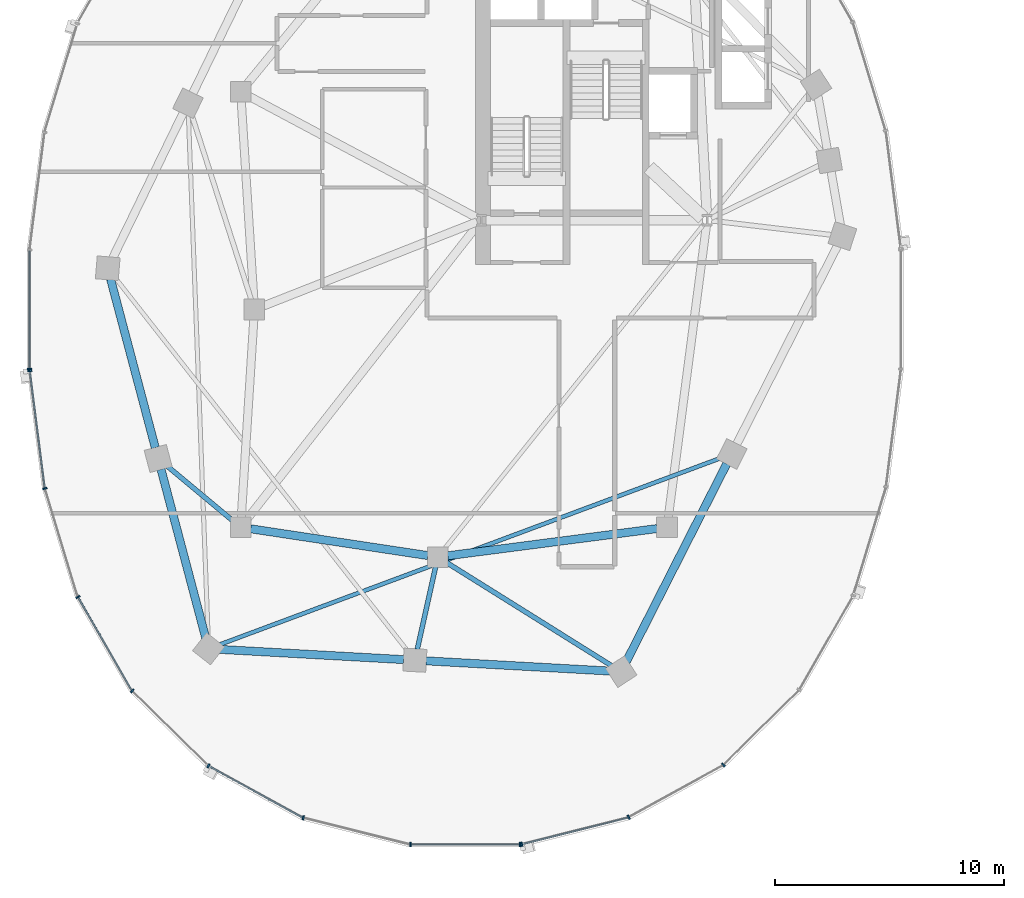
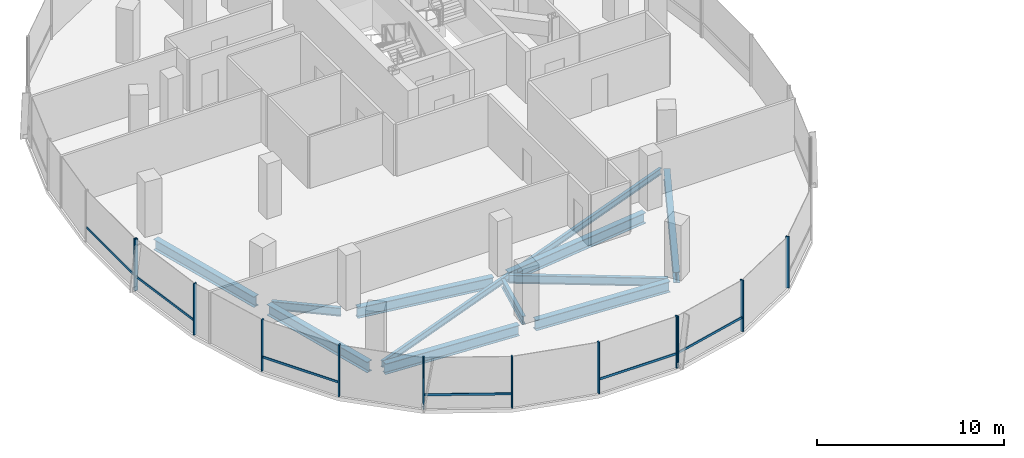
# One storey, part 2 of 22: 18 members, 11 beams, 3 elements without a shape of their own.
"""IFC4 building model written with IfcOpenShell, lengths in metres."""

from ifc_helpers import new_model, si_unit, direction, frame, origin, origin_2d, place, context, subcontext, project, spatial, rectangle, i_section, extrude, material, material_profile, profile_set, type_object, element, aggregate, save


model = new_model("IFC4")

# Units and contexts
model_context = context("Model", 3, precision=1e-05, world=origin(), true_north=direction((0.0, 1.0)))
body_context = subcontext(model_context, "Body", "Model", "MODEL_VIEW")
ifc_project = project(units=[si_unit("LENGTHUNIT", "METRE"), si_unit("AREAUNIT", "SQUARE_METRE"), si_unit("VOLUMEUNIT", "CUBIC_METRE"), si_unit("PLANEANGLEUNIT", "RADIAN"), si_unit("MASSUNIT", "GRAM", prefix="KILO"), si_unit("THERMODYNAMICTEMPERATUREUNIT", "KELVIN"), si_unit("POWERUNIT", "WATT")], contexts=[model_context])

# Site, building, storey
site_placement = place(None, origin())
site = spatial("IfcSite", under=ifc_project, at=site_placement, CompositionType="ELEMENT")
building_placement = place(site_placement, origin())
building = spatial("IfcBuilding", under=site, at=building_placement, Name="Cundina Bronze Exchange", CompositionType="ELEMENT")
storey_placement = place(building_placement, frame((0.0, 0.0, 162.0)))
storey = spatial("IfcBuildingStorey", under=building, at=storey_placement, Name="L42", CompositionType="ELEMENT", Elevation=162.0)

# Beams
ifc_material_1 = material(Name="Steel ASTM A992 Grade 50", Category="steel")
ifc_material_profile_1 = material_profile(ifc_material_1, i_section(OverallWidth=0.2119140625, OverallDepth=0.5439453125, WebThickness=0.01318359375, FlangeThickness=0.021240234375, FilletRadius=0.013916015625, at=origin_2d()), Name="W21X83", Category="steel")
ifc_profile_set_1 = profile_set([ifc_material_profile_1], Name="Steel ASTM A992 Grade 50")
beam_type_1 = type_object("IfcBeamType", Name="BM-FLR-W21A", PredefinedType="BEAM", material=ifc_profile_set_1)
beam_1_placement = place(storey_placement, frame((-42.136474609375, -9.219482421875, -0.511962890625), z_axis=(-0.768253211489, 0.640146079451, 0.0), x_axis=(-0.640146079451, -0.768253211489, 0.0)))
element("IfcBeam", 1, at=beam_1_placement, inside=storey, type_object=beam_type_1, Name="L42 Leg W Radial Floor Beam 09", PredefinedType="BEAM", context=body_context, shape_type="SweptSolid", body=[
    extrude(i_section(OverallWidth=0.2119140625, OverallDepth=0.5439453125, WebThickness=0.01318359375, FlangeThickness=0.021240234375, FilletRadius=0.013916015625, at=origin_2d()), origin(), (0.0, 0.0, 1.0), 3.760009765625),
])
beam_2_placement = place(storey_placement, frame((-33.294921875, -11.2275390625, -0.511962890625), z_axis=(-0.216923440287, -0.976188619609, 0.0), x_axis=(0.976188619609, -0.216923440287, 0.0)))
element("IfcBeam", 2, at=beam_2_placement, inside=storey, type_object=beam_type_1, Name="L42 Leg W Radial Floor Beam 11", PredefinedType="BEAM", context=body_context, shape_type="SweptSolid", body=[
    extrude(i_section(OverallWidth=0.2119140625, OverallDepth=0.5439453125, WebThickness=0.01318359375, FlangeThickness=0.021240234375, FilletRadius=0.013916015625, at=origin_2d()), origin(), (0.0, 0.0, 1.0), 3.68359375),
])
beam_3_placement = place(storey_placement, frame((-32.82861328125, -11.031982421875, -0.511962890625), z_axis=(0.847985407265, -0.530019574228, 0.0), x_axis=(0.530019574228, 0.847985407265, 0.0)))
element("IfcBeam", 3, at=beam_3_placement, inside=storey, type_object=beam_type_1, Name="L42 Leg W Radial Floor Beam 12", PredefinedType="BEAM", context=body_context, shape_type="SweptSolid", body=[
    extrude(i_section(OverallWidth=0.2119140625, OverallDepth=0.5439453125, WebThickness=0.01318359375, FlangeThickness=0.021240234375, FilletRadius=0.013916015625, at=origin_2d()), origin(), (0.0, 0.0, 1.0), 8.50830078125),
])
ifc_material_profile_2 = material_profile(ifc_material_1, i_section(OverallWidth=0.178955078125, OverallDepth=0.409912109375, WebThickness=0.0087890625, FlangeThickness=0.014404296875, FilletRadius=0.010986328125, at=origin_2d()), Name="W16X45", Category="steel")
ifc_profile_set_2 = profile_set([ifc_material_profile_2], Name="Steel ASTM A992 Grade 50")
beam_type_2 = type_object("IfcBeamType", Name="BM-JST-W16", PredefinedType="JOIST", material=ifc_profile_set_2)
beam_4_placement = place(storey_placement, frame((-42.74267578125, -14.629638671875, -0.445068359375), z_axis=(0.937127922351, 0.348986041483, 0.0), x_axis=(-0.348986041483, 0.937127922351, 0.0)))
element("IfcBeam", 4, at=beam_4_placement, inside=storey, type_object=beam_type_2, Name="L42 Leg W Lobe Floor Joist 10-13", PredefinedType="JOIST", context=body_context, shape_type="SweptSolid", body=[
    extrude(i_section(OverallWidth=0.178955078125, OverallDepth=0.409912109375, WebThickness=0.0087890625, FlangeThickness=0.014404296875, FilletRadius=0.010986328125, at=origin_2d()), origin(), (0.0, 0.0, 1.0), 23.38037109375),
])
ifc_material_profile_3 = material_profile(ifc_material_1, i_section(OverallWidth=0.35498046875, OverallDepth=0.695068359375, WebThickness=0.015380859375, FlangeThickness=0.02490234375, FilletRadius=0.01806640625, at=origin_2d()), Name="W27X146", Category="steel")
ifc_profile_set_3 = profile_set([ifc_material_profile_3], Name="Steel ASTM A992 Grade 50")
beam_type_3 = type_object("IfcBeamType", Name="BM-RING-W27", PredefinedType="USERDEFINED", material=ifc_profile_set_3)
beam_5_placement = place(storey_placement, frame((-41.366943359375, -9.5654296875, -0.58740234375), z_axis=(0.988764903598, -0.149478979839, 0.0), x_axis=(0.149478979839, 0.988764903598, 0.0)))
element("IfcBeam", 5, at=beam_5_placement, inside=storey, type_object=beam_type_3, Name="L42 W Inner Structural Ring Girder 05", ObjectType="GIRDER", PredefinedType="USERDEFINED", context=body_context, shape_type="SweptSolid", body=[
    extrude(i_section(OverallWidth=0.35498046875, OverallDepth=0.695068359375, WebThickness=0.015380859375, FlangeThickness=0.02490234375, FilletRadius=0.01806640625, at=origin_2d()), origin(), (0.0, 0.0, 1.0), 7.82177734375),
])
beam_6_placement = place(storey_placement, frame((-32.765625, -10.743408203125, -0.58740234375), z_axis=(0.991656498582, 0.128908451316, 0.0), x_axis=(-0.128908451316, 0.991656498582, 0.0)))
element("IfcBeam", 6, at=beam_6_placement, inside=storey, type_object=beam_type_3, Name="L42 W Inner Structural Ring Girder 06", ObjectType="GIRDER", PredefinedType="USERDEFINED", context=body_context, shape_type="SweptSolid", body=[
    extrude(i_section(OverallWidth=0.35498046875, OverallDepth=0.695068359375, WebThickness=0.015380859375, FlangeThickness=0.02490234375, FilletRadius=0.01806640625, at=origin_2d()), origin(), (0.0, 0.0, 1.0), 9.208251953125),
])
for number, where, z_axis, x_axis, name in (
    (7, (-47.47509765625, 1.328369140625, -0.58740234375), (0.256240814108, -0.966612975904, 0.0), (0.966612975904, 0.256240814108, 0.0), "L42 W Perimeter Ring Girder 08"),
    (8, (-45.27490234375, -6.9716796875, -0.58740234375), (0.256210841755, -0.96662092082, 0.0), (0.96662092082, 0.256210841755, 0.0), "L42 W Perimeter Ring Girder 09"),
):
    element("IfcBeam", number, at=place(storey_placement, frame(where, z_axis=z_axis, x_axis=x_axis)), inside=storey, type_object=beam_type_3, Name=name, ObjectType="GIRDER", PredefinedType="USERDEFINED", context=body_context, shape_type="SweptSolid", body=[
        extrude(i_section(OverallWidth=0.35498046875, OverallDepth=0.695068359375, WebThickness=0.015380859375, FlangeThickness=0.02490234375, FilletRadius=0.01806640625, at=origin_2d()), origin(), (0.0, 0.0, 1.0), 7.61083984375),
    ])
for number, where, z_axis, x_axis, name in (
    (9, (-42.712890625, -14.8271484375, -0.58740234375), (0.998460820451, -0.055461608559, 0.0), (0.055461608559, 0.998460820451, 0.0), "L42 W Perimeter Ring Girder 10"),
    (10, (-33.712890625, -15.3271484375, -0.58740234375), (0.998460820451, -0.055461608559, 0.0), (0.055461608559, 0.998460820451, 0.0), "L42 W Perimeter Ring Girder 11"),
):
    element("IfcBeam", number, at=place(storey_placement, frame(where, z_axis=z_axis, x_axis=x_axis)), inside=storey, type_object=beam_type_3, Name=name, ObjectType="GIRDER", PredefinedType="USERDEFINED", context=body_context, shape_type="SweptSolid", body=[
        extrude(i_section(OverallWidth=0.35498046875, OverallDepth=0.695068359375, WebThickness=0.015380859375, FlangeThickness=0.02490234375, FilletRadius=0.01806640625, at=origin_2d()), origin(), (0.0, 0.0, 1.0), 8.0380859375),
    ])
beam_7_placement = place(storey_placement, frame((-24.97900390625, -15.364990234375, -0.58740234375), z_axis=(0.452834585354, 0.891594548159, 0.0), x_axis=(-0.891594548159, 0.452834585354, 0.0)))
element("IfcBeam", 11, at=beam_7_placement, inside=storey, type_object=beam_type_3, Name="L42 W Perimeter Ring Girder 12", ObjectType="GIRDER", PredefinedType="USERDEFINED", context=body_context, shape_type="SweptSolid", body=[
    extrude(i_section(OverallWidth=0.35498046875, OverallDepth=0.695068359375, WebThickness=0.015380859375, FlangeThickness=0.02490234375, FilletRadius=0.01806640625, at=origin_2d()), origin(), (0.0, 0.0, 1.0), 9.67919921875),
])

# Curtain wall, member
ifc_material_2 = material(Name="Anodised Bronze Aluminium 6063-T6", Category="aluminium")
curtain_wall_type = type_object("IfcCurtainWallType", Name="CWS-WST-PIN", PredefinedType="NOTDEFINED", material=ifc_material_2)
curtain_wall_1_placement = place(storey_placement, origin())
curtain_wall_1 = element("IfcCurtainWall", 12, at=curtain_wall_1_placement, inside=storey, type_object=curtain_wall_type, Name="L42 CW-04 Curtain Wall Run CWR-L42-W2", PredefinedType="NOTDEFINED")
ifc_material_profile_4 = material_profile(ifc_material_2, rectangle(XDim=0.070068359375, YDim=0.18994140625, at=origin_2d()), Name="AL70X190", Category="aluminium")
ifc_profile_set_4 = profile_set([ifc_material_profile_4], Name="Anodised Bronze Aluminium 6063-T6")
member_type_1 = type_object("IfcMemberType", Name="CWM-MUL-190", PredefinedType="MULLION", material=ifc_profile_set_4)
member_1_placement = place(storey_placement, frame((-51.007080078125, -2.593017578125, 0.0), z_axis=(0.0, 0.0, 1.0), x_axis=(0.0, -1.0, 0.0)))
member_1 = element("IfcMember", 13, at=member_1_placement, type_object=member_type_1, Name="CW-04 End Mullion", PredefinedType="MULLION", context=body_context, shape_type="SweptSolid", body=[
    extrude(rectangle(XDim=0.070068359375, YDim=0.18994140625, at=origin_2d()), origin(), (0.0, 0.0, 1.0), 3.360107421875),
])

# Curtain wall, members
curtain_wall_2_placement = place(storey_placement, origin())
curtain_wall_2 = element("IfcCurtainWall", 14, at=curtain_wall_2_placement, inside=storey, type_object=curtain_wall_type, Name="L42 CW-04 Curtain Wall Run CWR-L42-W3", PredefinedType="NOTDEFINED")
member_2_placement = place(storey_placement, frame((-51.001708984375, -2.676025390625, 0.0), z_axis=(0.0, 0.0, 1.0), x_axis=(0.126545236492, -0.991960837494, 0.0)))
member_2 = element("IfcMember", 15, at=member_2_placement, type_object=member_type_1, Name="CW-04 Mullion 1", PredefinedType="MULLION", context=body_context, shape_type="SweptSolid", body=[
    extrude(rectangle(XDim=0.070068359375, YDim=0.18994140625, at=origin_2d()), origin(), (0.0, 0.0, 1.0), 3.360107421875),
])
member_3_placement = place(storey_placement, frame((-50.3408203125, -7.80859375, 0.0), z_axis=(0.0, 0.0, 1.0), x_axis=(0.290034140915, -0.957016299288, 0.0)))
member_3 = element("IfcMember", 16, at=member_3_placement, type_object=member_type_1, Name="CW-04 Mullion 2", PredefinedType="MULLION", context=body_context, shape_type="SweptSolid", body=[
    extrude(rectangle(XDim=0.070068359375, YDim=0.18994140625, at=origin_2d()), origin(), (0.0, 0.0, 1.0), 3.360107421875),
])
member_4_placement = place(storey_placement, frame((-48.89794921875, -12.541259765625, 0.0), z_axis=(0.0, 0.0, 1.0), x_axis=(0.498487739754, -0.866896748936, 0.0)))
member_4 = element("IfcMember", 17, at=member_4_placement, type_object=member_type_1, Name="CW-04 Mullion 3", PredefinedType="MULLION", context=body_context, shape_type="SweptSolid", body=[
    extrude(rectangle(XDim=0.070068359375, YDim=0.18994140625, at=origin_2d()), origin(), (0.0, 0.0, 1.0), 3.360107421875),
])
member_5_placement = place(storey_placement, frame((-46.530517578125, -16.640380859375, 0.0), z_axis=(0.0, 0.0, 1.0), x_axis=(0.712026045991, -0.702153052995, 0.0)))
member_5 = element("IfcMember", 18, at=member_5_placement, type_object=member_type_1, Name="CW-04 Mullion 4", PredefinedType="MULLION", context=body_context, shape_type="SweptSolid", body=[
    extrude(rectangle(XDim=0.070068359375, YDim=0.18994140625, at=origin_2d()), origin(), (0.0, 0.0, 1.0), 3.360107421875),
])
member_6_placement = place(storey_placement, frame((-43.20654296875, -19.906005859375, 0.0), z_axis=(0.0, 0.0, 1.0), x_axis=(0.875885937035, -0.482518212408, 0.0)))
member_6 = element("IfcMember", 19, at=member_6_placement, type_object=member_type_1, Name="CW-04 Mullion 5", PredefinedType="MULLION", context=body_context, shape_type="SweptSolid", body=[
    extrude(rectangle(XDim=0.070068359375, YDim=0.18994140625, at=origin_2d()), origin(), (0.0, 0.0, 1.0), 3.360107421875),
])
member_7_placement = place(storey_placement, frame((-39.067626953125, -22.17626953125, 0.0), z_axis=(0.0, 0.0, 1.0), x_axis=(0.970084240161, -0.242768546132, 0.0)))
member_7 = element("IfcMember", 20, at=member_7_placement, type_object=member_type_1, Name="CW-04 Mullion 6", PredefinedType="MULLION", context=body_context, shape_type="SweptSolid", body=[
    extrude(rectangle(XDim=0.070068359375, YDim=0.18994140625, at=origin_2d()), origin(), (0.0, 0.0, 1.0), 3.360107421875),
])
member_8_placement = place(storey_placement, frame((-34.39404296875, -23.3369140625, 0.0), z_axis=(0.0, 0.0, 1.0), x_axis=(1.0, 0.0, 0.0)))
member_8 = element("IfcMember", 21, at=member_8_placement, type_object=member_type_1, Name="CW-04 Mullion 7", PredefinedType="MULLION", context=body_context, shape_type="SweptSolid", body=[
    extrude(rectangle(XDim=0.070068359375, YDim=0.18994140625, at=origin_2d()), origin(), (0.0, 0.0, 1.0), 3.360107421875),
])
member_9_placement = place(storey_placement, frame((-29.60595703125, -23.3369140625, 0.0), z_axis=(0.0, 0.0, 1.0), x_axis=(1.0, 0.0, 0.0)))
member_9 = element("IfcMember", 22, at=member_9_placement, type_object=member_type_1, Name="CW-04 End Mullion", PredefinedType="MULLION", context=body_context, shape_type="SweptSolid", body=[
    extrude(rectangle(XDim=0.070068359375, YDim=0.18994140625, at=origin_2d()), origin(), (0.0, 0.0, 1.0), 3.360107421875),
])

curtain_wall_3_placement = place(storey_placement, origin())
curtain_wall_3 = element("IfcCurtainWall", 23, at=curtain_wall_3_placement, inside=storey, type_object=curtain_wall_type, Name="L42 CW-04 Curtain Wall Run CWR-L42-W4", PredefinedType="NOTDEFINED")
member_10_placement = place(storey_placement, frame((-29.537353515625, -23.32861328125, 0.0), z_axis=(0.0, 0.0, 1.0), x_axis=(0.970084240161, 0.242768546132, 0.0)))
member_10 = element("IfcMember", 24, at=member_10_placement, type_object=member_type_1, Name="CW-04 Mullion 1", PredefinedType="MULLION", context=body_context, shape_type="SweptSolid", body=[
    extrude(rectangle(XDim=0.070068359375, YDim=0.18994140625, at=origin_2d()), origin(), (0.0, 0.0, 1.0), 3.360107421875),
])
member_11_placement = place(storey_placement, frame((-24.86962890625, -22.151611328125, 0.0), z_axis=(0.0, 0.0, 1.0), x_axis=(0.875885937035, 0.482518212408, 0.0)))
member_11 = element("IfcMember", 25, at=member_11_placement, type_object=member_type_1, Name="CW-04 Mullion 2", PredefinedType="MULLION", context=body_context, shape_type="SweptSolid", body=[
    extrude(rectangle(XDim=0.070068359375, YDim=0.18994140625, at=origin_2d()), origin(), (0.0, 0.0, 1.0), 3.360107421875),
])
member_12_placement = place(storey_placement, frame((-20.740966796875, -19.86669921875, 0.0), z_axis=(0.0, 0.0, 1.0), x_axis=(0.712026045991, 0.702153052995, 0.0)))
member_12 = element("IfcMember", 26, at=member_12_placement, type_object=member_type_1, Name="CW-04 Mullion 3", PredefinedType="MULLION", context=body_context, shape_type="SweptSolid", body=[
    extrude(rectangle(XDim=0.070068359375, YDim=0.18994140625, at=origin_2d()), origin(), (0.0, 0.0, 1.0), 3.360107421875),
])

# Member
ifc_material_profile_5 = material_profile(ifc_material_2, rectangle(XDim=0.06494140625, YDim=0.14990234375, at=origin_2d()), Name="AL65X150", Category="aluminium")
ifc_profile_set_5 = profile_set([ifc_material_profile_5], Name="Anodised Bronze Aluminium 6063-T6")
member_type_2 = type_object("IfcMemberType", Name="CWM-TRN-150", PredefinedType="USERDEFINED", material=ifc_profile_set_5)
member_13_placement = place(storey_placement, frame((-51.007080078125, 2.554443359375, 0.919921875), z_axis=(0.0, -1.0, 0.0), x_axis=(1.0, 0.0, 0.0)))
member_13 = element("IfcMember", 27, at=member_13_placement, type_object=member_type_2, Name="CW-04 Spandrel Transom 7", ObjectType="TRANSOM", PredefinedType="USERDEFINED", context=body_context, shape_type="SweptSolid", body=[
    extrude(rectangle(XDim=0.06494140625, YDim=0.14990234375, at=origin_2d()), origin(), (0.0, 0.0, 1.0), 5.10888671875),
])

aggregate(curtain_wall_1, [member_1, member_13])

member_14_placement = place(storey_placement, frame((-50.996826171875, -2.71435546875, 0.919921875), z_axis=(0.12646340362, -0.991971273548, 0.0), x_axis=(0.991971273548, 0.12646340362, 0.0)))
member_14 = element("IfcMember", 28, at=member_14_placement, type_object=member_type_2, Name="CW-04 Spandrel Transom 1", ObjectType="TRANSOM", PredefinedType="USERDEFINED", context=body_context, shape_type="SweptSolid", body=[
    extrude(rectangle(XDim=0.06494140625, YDim=0.14990234375, at=origin_2d()), origin(), (0.0, 0.0, 1.0), 5.0966796875),
])

member_15_placement = place(storey_placement, frame((-48.878662109375, -12.574462890625, 0.919921875), z_axis=(0.498479967047, -0.866901218394, 0.0), x_axis=(0.866901218394, 0.498479967047, 0.0)))
member_15 = element("IfcMember", 29, at=member_15_placement, type_object=member_type_2, Name="CW-04 Spandrel Transom 3", ObjectType="TRANSOM", PredefinedType="USERDEFINED", context=body_context, shape_type="SweptSolid", body=[
    extrude(rectangle(XDim=0.06494140625, YDim=0.14990234375, at=origin_2d()), origin(), (0.0, 0.0, 1.0), 4.66845703125),
])

member_16_placement = place(storey_placement, frame((-43.1728515625, -19.924560546875, 0.919921875), z_axis=(0.875878981549, -0.482530838062, 0.0), x_axis=(0.482530838062, 0.875878981549, 0.0)))
member_16 = element("IfcMember", 30, at=member_16_placement, type_object=member_type_2, Name="CW-04 Spandrel Transom 5", ObjectType="TRANSOM", PredefinedType="USERDEFINED", context=body_context, shape_type="SweptSolid", body=[
    extrude(rectangle(XDim=0.06494140625, YDim=0.14990234375, at=origin_2d()), origin(), (0.0, 0.0, 1.0), 4.65380859375),
])

member_17_placement = place(storey_placement, frame((-34.35546875, -23.3369140625, 0.919921875), z_axis=(1.0, 0.0, 0.0), x_axis=(0.0, 1.0, 0.0)))
member_17 = element("IfcMember", 31, at=member_17_placement, type_object=member_type_2, Name="CW-04 Spandrel Transom 7", ObjectType="TRANSOM", PredefinedType="USERDEFINED", context=body_context, shape_type="SweptSolid", body=[
    extrude(rectangle(XDim=0.06494140625, YDim=0.14990234375, at=origin_2d()), origin(), (0.0, 0.0, 1.0), 4.7109375),
])

aggregate(curtain_wall_2, [member_2, member_14, member_3, member_4, member_15, member_5, member_6, member_16, member_7, member_8, member_9, member_17])

member_18_placement = place(storey_placement, frame((-29.5, -23.319091796875, 0.919921875), z_axis=(0.970100130035, 0.242705042606, 0.0), x_axis=(-0.242705042606, 0.970100130035, 0.0)))
member_18 = element("IfcMember", 32, at=member_18_placement, type_object=member_type_2, Name="CW-04 Spandrel Transom 1", ObjectType="TRANSOM", PredefinedType="USERDEFINED", context=body_context, shape_type="SweptSolid", body=[
    extrude(rectangle(XDim=0.06494140625, YDim=0.14990234375, at=origin_2d()), origin(), (0.0, 0.0, 1.0), 4.746826171875),
])

aggregate(curtain_wall_3, [member_10, member_18, member_11, member_12])

save(model, "model.ifc")
